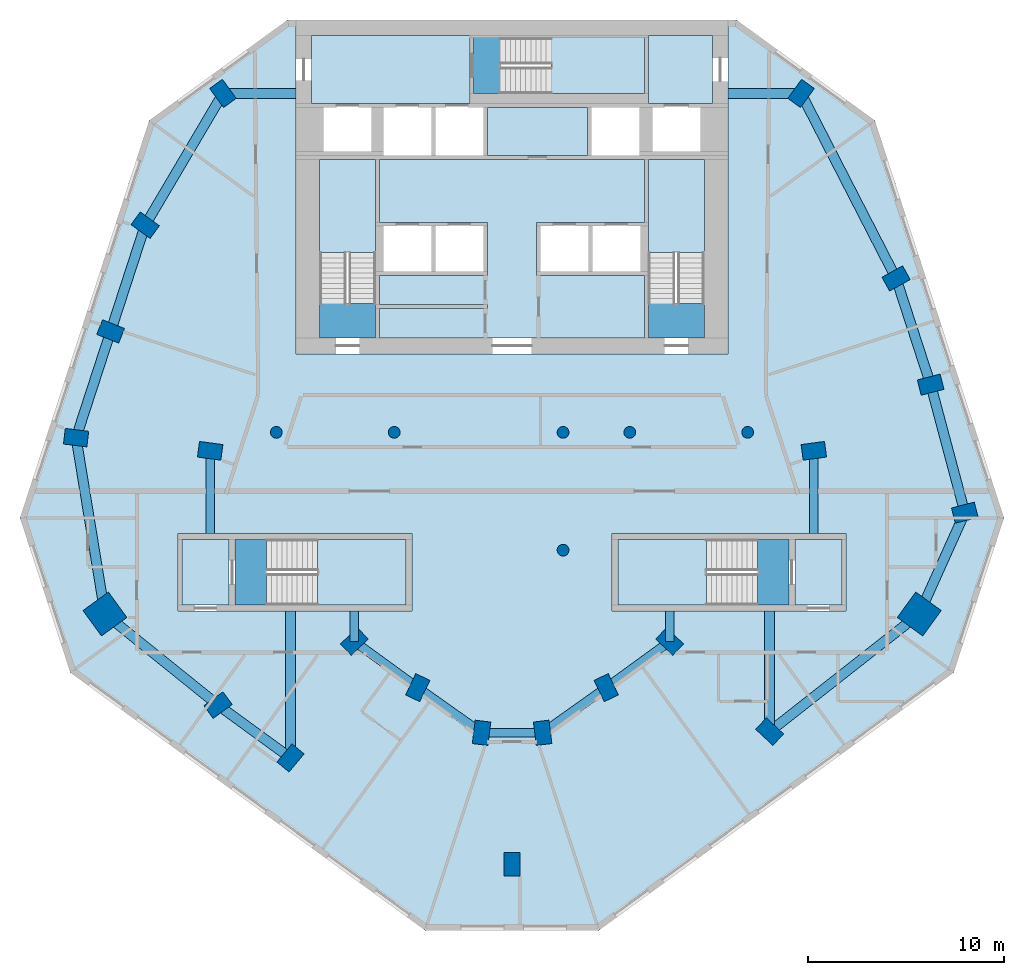
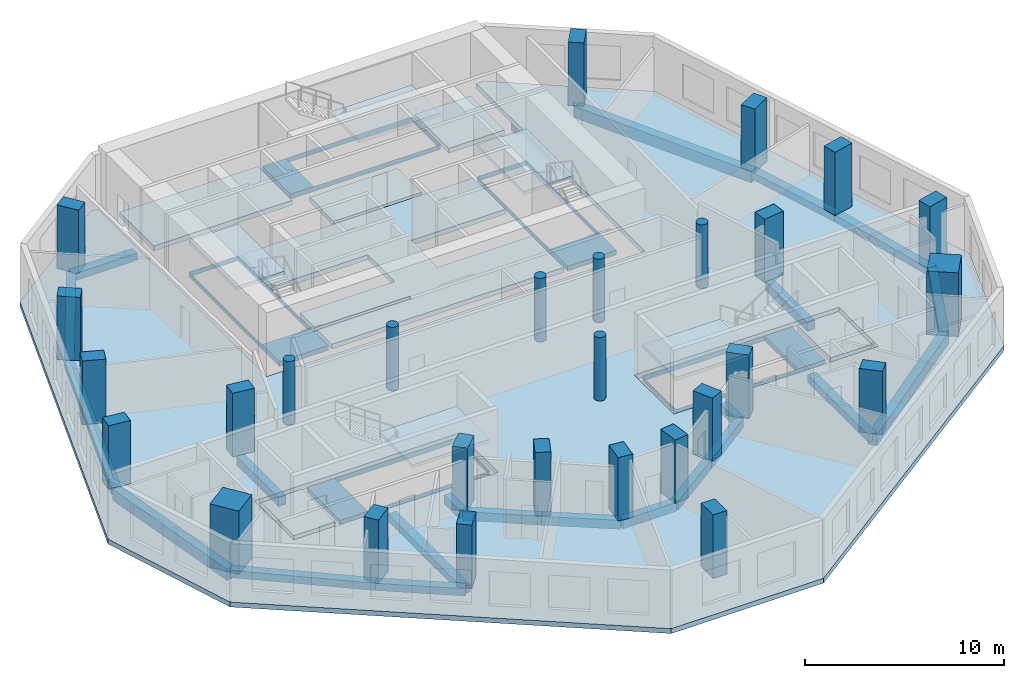
# One storey, part 1 of 9: 28 columns, 24 beams, 17 slabs, 5 elements without a shape of their own.
"""IFC4 building model written with IfcOpenShell, lengths in metres."""

from ifc_helpers import new_model, si_unit, direction, frame, origin, origin_2d, place, context, subcontext, project, spatial, polyline, rectangle, circle, outline, extrude, material, layer, layer_set, material_profile, profile_set, type_object, element, aggregate, save


model = new_model("IFC4")

# Units and contexts
model_context = context("Model", 3, precision=1e-05, world=origin(), true_north=direction((0.0, 1.0)))
body_context = subcontext(model_context, "Body", "Model", "MODEL_VIEW")
ifc_project = project(units=[si_unit("LENGTHUNIT", "METRE"), si_unit("AREAUNIT", "SQUARE_METRE"), si_unit("VOLUMEUNIT", "CUBIC_METRE"), si_unit("PLANEANGLEUNIT", "RADIAN"), si_unit("MASSUNIT", "GRAM", prefix="KILO")], contexts=[model_context])

# Site, building, storey
site_placement = place(None, origin())
site = spatial("IfcSite", under=ifc_project, at=site_placement, CompositionType="ELEMENT")
building_placement = place(site_placement, origin())
building = spatial("IfcBuilding", under=site, at=building_placement, Name="White Candle Pilgrim Tower", CompositionType="ELEMENT")
storey_placement = place(building_placement, frame((0.0, 0.0, 200.39990234375)))
storey = spatial("IfcBuildingStorey", under=building, at=storey_placement, Name="L46", CompositionType="ELEMENT", Elevation=200.39990234375)

# Columns
ifc_material_1 = material(Name="Concrete C70/85", Category="concrete")
ifc_material_profile_1 = material_profile(ifc_material_1, circle(Radius=0.300048828125, at=origin_2d()), Name="RC-COL D600")
ifc_profile_set_1 = profile_set([ifc_material_profile_1], Name="Concrete C70/85")
column_type_1 = type_object("IfcColumnType", Name="Interior column RC-COL D600 C70/85", PredefinedType="COLUMN", material=ifc_profile_set_1)
for number, where, z_axis, x_axis, name in (
    (1, (58.0, 67.0, 0.0), (0.0, 0.0, 1.0), (1.0, 0.0, 0.0), "L46 column I01"),
    (2, (64.0, 67.0, 0.0), (0.0, 0.0, 1.0), (1.0, 0.0, 0.0), "L46 column I02"),
    (3, (72.60009765625, 61.0, 0.0), (0.0, 0.0, 1.0), (1.0, 0.0, 0.0), "L46 column I03"),
    (4, (72.60009765625, 67.0, 0.0), (0.0, 0.0, 1.0), (1.0, 0.0, 0.0), "L46 column I04"),
    (5, (76.0, 67.0, 0.0), (0.0, 0.0, 1.0), (1.0, 0.0, 0.0), "L46 column I05"),
    (6, (82.0, 67.0, 0.0), (0.0, 0.0, 1.0), (1.0, 0.0, 0.0), "L46 column I06"),
):
    element("IfcColumn", number, at=place(storey_placement, frame(where, z_axis=z_axis, x_axis=x_axis)), inside=storey, type_object=column_type_1, Name=name, PredefinedType="COLUMN", context=body_context, shape_type="SweptSolid", body=[
        extrude(circle(Radius=0.300048828125, at=origin_2d()), origin(), (0.0, 0.0, 1.0), 3.900146484375),
    ])
ifc_material_profile_2 = material_profile(ifc_material_1, rectangle(XDim=1.60009765625, YDim=1.60009765625, at=origin_2d()), Name="RC 1600x1600")
ifc_profile_set_2 = profile_set([ifc_material_profile_2], Name="Concrete C70/85")
column_type_2 = type_object("IfcColumnType", Name="Mega column RC 1600x1600 C70/85", PredefinedType="COLUMN", material=ifc_profile_set_2)
for number, where, z_axis, x_axis, name in (
    (7, (49.27001953125, 57.75, 0.0), (0.0, 0.0, 1.0), (-0.809016994375, -0.587785252292, 0.0), "L46 mega column T01"),
    (8, (90.739990234375, 57.75, 0.0), (0.0, 0.0, 1.0), (0.809016994375, -0.587785252292, 0.0), "L46 mega column T06"),
):
    element("IfcColumn", number, at=place(storey_placement, frame(where, z_axis=z_axis, x_axis=x_axis)), inside=storey, type_object=column_type_2, Name=name, PredefinedType="COLUMN", context=body_context, shape_type="SweptSolid", body=[
        extrude(rectangle(XDim=1.60009765625, YDim=1.60009765625, at=origin_2d()), origin(), (0.0, 0.0, 1.0), 3.900146484375),
    ])
ifc_material_profile_3 = material_profile(ifc_material_1, rectangle(XDim=0.800048828125, YDim=1.199951171875, at=origin_2d()), Name="RC-PR 800x1200")
ifc_profile_set_3 = profile_set([ifc_material_profile_3], Name="Concrete C70/85")
column_type_3 = type_object("IfcColumnType", Name="Perimeter column RC-PR 800x1200 C70/85", PredefinedType="COLUMN", material=ifc_profile_set_3)
for number, where, z_axis, x_axis, name in (
    (9, (55.030029296875, 53.110107421875, 0.0), (0.0, 0.0, 1.0), (-0.58846280644, 0.808524288711, 0.0), "L46 column T02"),
    (10, (58.719970703125, 50.419921875, 0.0), (0.0, 0.0, 1.0), (-0.769310358735, 0.638875239733, 0.0), "L46 column T03"),
    (11, (70.0, 45.0, 0.0), (0.0, 0.0, 1.0), (-1.0, 0.0, 0.0), "L46 column T04"),
    (12, (83.1201171875, 51.760009765625, 0.0), (0.0, 0.0, 1.0), (-0.681998360062, -0.731353701619, 0.0), "L46 column T05"),
    (13, (93.06005859375, 62.909912109375, 0.0), (0.0, 0.0, 1.0), (0.246880623275, -0.969045900797, 0.0), "L46 column T07"),
    (14, (91.320068359375, 69.429931640625, 0.0), (0.0, 0.0, 1.0), (0.246880623275, -0.969045900797, 0.0), "L46 column T08"),
    (15, (89.56005859375, 74.840087890625, 0.0), (0.0, 0.0, 1.0), (0.484809620246, -0.874619707139, 0.0), "L46 column T09"),
    (16, (84.719970703125, 84.260009765625, 0.0), (0.0, 0.0, 1.0), (0.80902725304, -0.587771132193, 0.0), "L46 column T10"),
    (17, (55.280029296875, 84.260009765625, 0.0), (0.0, 0.0, 1.0), (0.80902725304, 0.587771132193, 0.0), "L46 column T11"),
    (18, (51.320068359375, 77.550048828125, 0.0), (0.0, 0.0, 1.0), (0.587107285614, 0.809509132239, 0.0), "L46 column T12"),
    (19, (49.56005859375, 72.139892578125, 0.0), (0.0, 0.0, 1.0), (0.369860269472, 0.929087391512, 0.0), "L46 column T13"),
    (20, (47.800048828125, 66.72998046875, 0.0), (0.0, 0.0, 1.0), (0.121869343405, 0.992546151641, 0.0), "L46 column T14"),
):
    element("IfcColumn", number, at=place(storey_placement, frame(where, z_axis=z_axis, x_axis=x_axis)), inside=storey, type_object=column_type_3, Name=name, PredefinedType="COLUMN", context=body_context, shape_type="SweptSolid", body=[
        extrude(rectangle(XDim=0.800048828125, YDim=1.199951171875, at=origin_2d()), origin(), (0.0, 0.0, 1.0), 3.900146484375),
    ])
ifc_material_profile_4 = material_profile(ifc_material_1, rectangle(XDim=0.800048828125, YDim=1.199951171875, at=origin_2d()), Name="RC-PR 800x1200")
ifc_profile_set_4 = profile_set([ifc_material_profile_4], Name="Concrete C70/85")
column_type_4 = type_object("IfcColumnType", Name="Ring column RC-PR 800x1200 C70/85", PredefinedType="COLUMN", material=ifc_profile_set_4)
for number, where, z_axis, x_axis, name in (
    (21, (61.969970703125, 56.35009765625, 0.0), (0.0, 0.0, 1.0), (-0.689872285383, 0.723931094691, 0.0), "L46 column R01"),
    (22, (65.199951171875, 54.0, 0.0), (0.0, 0.0, 1.0), (-0.901689191761, 0.43238478403, 0.0), "L46 column R02"),
    (23, (68.449951171875, 51.699951171875, 0.0), (0.0, 0.0, 1.0), (-0.992092811428, 0.125506388335, 0.0), "L46 column R03"),
    (24, (71.56005859375, 51.699951171875, 0.0), (0.0, 0.0, 1.0), (-0.992092811428, -0.125506388335, 0.0), "L46 column R04"),
    (25, (74.800048828125, 54.0, 0.0), (0.0, 0.0, 1.0), (-0.901689191761, -0.43238478403, 0.0), "L46 column R05"),
    (26, (78.030029296875, 56.35009765625, 0.0), (0.0, 0.0, 1.0), (-0.689872285383, -0.723931094691, 0.0), "L46 column R06"),
    (27, (85.3701171875, 66.06005859375, 0.0), (0.0, 0.0, 1.0), (0.132602381688, -0.991169313675, 0.0), "L46 column R07"),
    (28, (54.6298828125, 66.06005859375, 0.0), (0.0, 0.0, 1.0), (0.132602381688, 0.991169313675, 0.0), "L46 column R08"),
):
    element("IfcColumn", number, at=place(storey_placement, frame(where, z_axis=z_axis, x_axis=x_axis)), inside=storey, type_object=column_type_4, Name=name, PredefinedType="COLUMN", context=body_context, shape_type="SweptSolid", body=[
        extrude(rectangle(XDim=0.800048828125, YDim=1.199951171875, at=origin_2d()), origin(), (0.0, 0.0, 1.0), 3.900146484375),
    ])

# Beams
ifc_material_2 = material(Name="Concrete C50/60", Category="concrete")
ifc_material_profile_5 = material_profile(ifc_material_2, rectangle(XDim=0.449951171875, YDim=0.550048828125, at=origin_2d()), Name="RC-BM 450x550")
ifc_profile_set_5 = profile_set([ifc_material_profile_5], Name="Concrete C50/60")
beam_type_1 = type_object("IfcBeamType", Name="Ring beam RC-BM 450x550 C50/60", PredefinedType="BEAM", material=ifc_profile_set_5)
beam_1_placement = place(storey_placement, frame((61.969970703125, 56.35009765625, -0.574951171875), z_axis=(0.80861448825, -0.588338855926, 0.0), x_axis=(0.588338855926, 0.80861448825, 0.0)))
element("IfcBeam", 29, at=beam_1_placement, inside=storey, type_object=beam_type_1, Name="L46 ring beam R01", PredefinedType="BEAM", context=body_context, shape_type="SweptSolid", body=[
    extrude(rectangle(XDim=0.449951171875, YDim=0.550048828125, at=origin_2d()), origin(), (0.0, 0.0, 1.0), 3.994384765625),
])
beam_2_placement = place(storey_placement, frame((65.199951171875, 54.0, -0.574951171875), z_axis=(0.816265428953, -0.577677028708, 0.0), x_axis=(0.577677028708, 0.816265428953, 0.0)))
element("IfcBeam", 30, at=beam_2_placement, inside=storey, type_object=beam_type_1, Name="L46 ring beam R02", PredefinedType="BEAM", context=body_context, shape_type="SweptSolid", body=[
    extrude(rectangle(XDim=0.449951171875, YDim=0.550048828125, at=origin_2d()), origin(), (0.0, 0.0, 1.0), 3.9814453125),
])
beam_3_placement = place(storey_placement, frame((68.449951171875, 51.699951171875, -0.574951171875), z_axis=(1.0, 0.0, 0.0), x_axis=(0.0, 1.0, 0.0)))
element("IfcBeam", 31, at=beam_3_placement, inside=storey, type_object=beam_type_1, Name="L46 ring beam R03", PredefinedType="BEAM", context=body_context, shape_type="SweptSolid", body=[
    extrude(rectangle(XDim=0.449951171875, YDim=0.550048828125, at=origin_2d()), origin(), (0.0, 0.0, 1.0), 3.110107421875),
])
beam_4_placement = place(storey_placement, frame((71.56005859375, 51.699951171875, -0.574951171875), z_axis=(0.815423878557, 0.578864317677, 0.0), x_axis=(-0.578864317677, 0.815423878557, 0.0)))
element("IfcBeam", 32, at=beam_4_placement, inside=storey, type_object=beam_type_1, Name="L46 ring beam R04", PredefinedType="BEAM", context=body_context, shape_type="SweptSolid", body=[
    extrude(rectangle(XDim=0.449951171875, YDim=0.550048828125, at=origin_2d()), origin(), (0.0, 0.0, 1.0), 3.973388671875),
])
beam_5_placement = place(storey_placement, frame((74.800048828125, 54.0, -0.574951171875), z_axis=(0.80861448825, 0.588338855926, 0.0), x_axis=(-0.588338855926, 0.80861448825, 0.0)))
element("IfcBeam", 33, at=beam_5_placement, inside=storey, type_object=beam_type_1, Name="L46 ring beam R05", PredefinedType="BEAM", context=body_context, shape_type="SweptSolid", body=[
    extrude(rectangle(XDim=0.449951171875, YDim=0.550048828125, at=origin_2d()), origin(), (0.0, 0.0, 1.0), 3.994384765625),
])
beam_6_placement = place(storey_placement, frame((78.030029296875, 56.35009765625, -0.574951171875), z_axis=(0.0, 1.0, 0.0), x_axis=(-1.0, 0.0, 0.0)))
element("IfcBeam", 34, at=beam_6_placement, inside=storey, type_object=beam_type_1, Name="L46 ring beam R06", PredefinedType="BEAM", context=body_context, shape_type="SweptSolid", body=[
    extrude(rectangle(XDim=0.449951171875, YDim=0.550048828125, at=origin_2d()), origin(), (0.0, 0.0, 1.0), 1.5498046875),
])
for number, where, z_axis, x_axis, name in (
    (35, (85.3701171875, 66.06005859375, -0.574951171875), (0.0, -1.0, 0.0), (1.0, 0.0, 0.0), "L46 ring beam R07"),
    (36, (54.6298828125, 66.06005859375, -0.574951171875), (0.0, -1.0, 0.0), (1.0, 0.0, 0.0), "L46 ring beam R08"),
):
    element("IfcBeam", number, at=place(storey_placement, frame(where, z_axis=z_axis, x_axis=x_axis)), inside=storey, type_object=beam_type_1, Name=name, PredefinedType="BEAM", context=body_context, shape_type="SweptSolid", body=[
        extrude(rectangle(XDim=0.449951171875, YDim=0.550048828125, at=origin_2d()), origin(), (0.0, 0.0, 1.0), 4.2099609375),
    ])
beam_7_placement = place(storey_placement, frame((61.969970703125, 56.35009765625, -0.574951171875), z_axis=(0.0, 1.0, 0.0), x_axis=(-1.0, 0.0, 0.0)))
element("IfcBeam", 37, at=beam_7_placement, inside=storey, type_object=beam_type_1, Name="L46 ring beam R09", PredefinedType="BEAM", context=body_context, shape_type="SweptSolid", body=[
    extrude(rectangle(XDim=0.449951171875, YDim=0.550048828125, at=origin_2d()), origin(), (0.0, 0.0, 1.0), 1.5498046875),
])
ifc_material_profile_6 = material_profile(ifc_material_2, rectangle(XDim=0.5, YDim=0.449951171875, at=origin_2d()), Name="RC-BM 500x450")
ifc_profile_set_6 = profile_set([ifc_material_profile_6], Name="Concrete C50/60")
beam_type_2 = type_object("IfcBeamType", Name="Spandrel beam RC-BM 500x450 C50/60", PredefinedType="BEAM", material=ifc_profile_set_6)
beam_8_placement = place(storey_placement, frame((49.27001953125, 57.75, -0.52490234375), z_axis=(0.778761523917, -0.627320084858, 0.0), x_axis=(0.627320084858, 0.778761523917, 0.0)))
element("IfcBeam", 38, at=beam_8_placement, inside=storey, type_object=beam_type_2, Name="L46 spandrel beam T01", PredefinedType="BEAM", context=body_context, shape_type="SweptSolid", body=[
    extrude(rectangle(XDim=0.5, YDim=0.449951171875, at=origin_2d()), origin(), (0.0, 0.0, 1.0), 7.396484375),
])
beam_9_placement = place(storey_placement, frame((55.030029296875, 53.110107421875, -0.52490234375), z_axis=(0.808048887147, -0.589115435191, 0.0), x_axis=(0.589115435191, 0.808048887147, 0.0)))
element("IfcBeam", 39, at=beam_9_placement, inside=storey, type_object=beam_type_2, Name="L46 spandrel beam T02", PredefinedType="BEAM", context=body_context, shape_type="SweptSolid", body=[
    extrude(rectangle(XDim=0.5, YDim=0.449951171875, at=origin_2d()), origin(), (0.0, 0.0, 1.0), 4.56640625),
])
beam_10_placement = place(storey_placement, frame((58.719970703125, 50.419921875, -0.52490234375), z_axis=(0.0, 1.0, 0.0), x_axis=(-1.0, 0.0, 0.0)))
element("IfcBeam", 40, at=beam_10_placement, inside=storey, type_object=beam_type_2, Name="L46 spandrel beam T03", PredefinedType="BEAM", context=body_context, shape_type="SweptSolid", body=[
    extrude(rectangle(XDim=0.5, YDim=0.449951171875, at=origin_2d()), origin(), (0.0, 0.0, 1.0), 7.47998046875),
])
beam_11_placement = place(storey_placement, frame((83.1201171875, 51.760009765625, -0.52490234375), z_axis=(0.0, 1.0, 0.0), x_axis=(-1.0, 0.0, 0.0)))
element("IfcBeam", 41, at=beam_11_placement, inside=storey, type_object=beam_type_2, Name="L46 spandrel beam T04", PredefinedType="BEAM", context=body_context, shape_type="SweptSolid", body=[
    extrude(rectangle(XDim=0.5, YDim=0.449951171875, at=origin_2d()), origin(), (0.0, 0.0, 1.0), 6.139892578125),
])
beam_12_placement = place(storey_placement, frame((90.739990234375, 57.75, -0.52490234375), z_axis=(0.410086538768, 0.912046616528, 0.0), x_axis=(-0.912046616528, 0.410086538768, 0.0)))
element("IfcBeam", 42, at=beam_12_placement, inside=storey, type_object=beam_type_2, Name="L46 spandrel beam T06", PredefinedType="BEAM", context=body_context, shape_type="SweptSolid", body=[
    extrude(rectangle(XDim=0.5, YDim=0.449951171875, at=origin_2d()), origin(), (0.0, 0.0, 1.0), 5.657470703125),
])
beam_13_placement = place(storey_placement, frame((93.06005859375, 62.909912109375, -0.52490234375), z_axis=(-0.257845040268, 0.966186283907, 0.0), x_axis=(-0.966186283907, -0.257845040268, 0.0)))
element("IfcBeam", 43, at=beam_13_placement, inside=storey, type_object=beam_type_2, Name="L46 spandrel beam T07", PredefinedType="BEAM", context=body_context, shape_type="SweptSolid", body=[
    extrude(rectangle(XDim=0.5, YDim=0.449951171875, at=origin_2d()), origin(), (0.0, 0.0, 1.0), 6.748291015625),
])
beam_14_placement = place(storey_placement, frame((91.320068359375, 69.429931640625, -0.52490234375), z_axis=(-0.309357751297, 0.950945730162, 0.0), x_axis=(-0.950945730162, -0.309357751297, 0.0)))
element("IfcBeam", 44, at=beam_14_placement, inside=storey, type_object=beam_type_2, Name="L46 spandrel beam T08", PredefinedType="BEAM", context=body_context, shape_type="SweptSolid", body=[
    extrude(rectangle(XDim=0.5, YDim=0.449951171875, at=origin_2d()), origin(), (0.0, 0.0, 1.0), 5.689208984375),
])
for number, where, z_axis, x_axis, name in (
    (45, (84.719970703125, 84.260009765625, -0.52490234375), (-1.0, 0.0, 0.0), (0.0, -1.0, 0.0), "L46 spandrel beam T10"),
    (46, (55.280029296875, 84.260009765625, -0.52490234375), (1.0, 0.0, 0.0), (0.0, 1.0, 0.0), "L46 spandrel beam T11"),
):
    element("IfcBeam", number, at=place(storey_placement, frame(where, z_axis=z_axis, x_axis=x_axis)), inside=storey, type_object=beam_type_2, Name=name, PredefinedType="BEAM", context=body_context, shape_type="SweptSolid", body=[
        extrude(rectangle(XDim=0.5, YDim=0.449951171875, at=origin_2d()), origin(), (0.0, 0.0, 1.0), 3.719970703125),
    ])
beam_15_placement = place(storey_placement, frame((55.280029296875, 84.260009765625, -0.52490234375), z_axis=(-0.508252060579, -0.861208362081, 0.0), x_axis=(0.861208362081, -0.508252060579, 0.0)))
element("IfcBeam", 47, at=beam_15_placement, inside=storey, type_object=beam_type_2, Name="L46 spandrel beam T12", PredefinedType="BEAM", context=body_context, shape_type="SweptSolid", body=[
    extrude(rectangle(XDim=0.5, YDim=0.449951171875, at=origin_2d()), origin(), (0.0, 0.0, 1.0), 7.791259765625),
])
beam_16_placement = place(storey_placement, frame((51.320068359375, 77.550048828125, -0.52490234375), z_axis=(-0.309357751297, -0.950945730162, 0.0), x_axis=(0.950945730162, -0.309357751297, 0.0)))
element("IfcBeam", 48, at=beam_16_placement, inside=storey, type_object=beam_type_2, Name="L46 spandrel beam T13", PredefinedType="BEAM", context=body_context, shape_type="SweptSolid", body=[
    extrude(rectangle(XDim=0.5, YDim=0.449951171875, at=origin_2d()), origin(), (0.0, 0.0, 1.0), 5.689208984375),
])
beam_17_placement = place(storey_placement, frame((49.56005859375, 72.139892578125, -0.52490234375), z_axis=(-0.309370375951, -0.950941623068, 0.0), x_axis=(0.950941623068, -0.309370375951, 0.0)))
element("IfcBeam", 49, at=beam_17_placement, inside=storey, type_object=beam_type_2, Name="L46 spandrel beam T14", PredefinedType="BEAM", context=body_context, shape_type="SweptSolid", body=[
    extrude(rectangle(XDim=0.5, YDim=0.449951171875, at=origin_2d()), origin(), (0.0, 0.0, 1.0), 5.68896484375),
])
ifc_material_profile_7 = material_profile(ifc_material_2, rectangle(XDim=0.5, YDim=0.699951171875, at=origin_2d()), Name="RC-BM 500x700")
ifc_profile_set_7 = profile_set([ifc_material_profile_7], Name="Concrete C50/60")
beam_type_3 = type_object("IfcBeamType", Name="Spandrel beam RC-BM 500x700 C50/60", PredefinedType="BEAM", material=ifc_profile_set_7)
beam_18_placement = place(storey_placement, frame((83.1201171875, 51.760009765625, -0.64990234375), z_axis=(0.786170599768, 0.618009537192, 0.0), x_axis=(-0.618009537192, 0.786170599768, 0.0)))
element("IfcBeam", 50, at=beam_18_placement, inside=storey, type_object=beam_type_3, Name="L46 spandrel beam T05", PredefinedType="BEAM", context=body_context, shape_type="SweptSolid", body=[
    extrude(rectangle(XDim=0.5, YDim=0.699951171875, at=origin_2d()), origin(), (0.0, 0.0, 1.0), 9.6923828125),
])
beam_19_placement = place(storey_placement, frame((89.56005859375, 74.840087890625, -0.64990234375), z_axis=(-0.45701618227, 0.889458379658, 0.0), x_axis=(-0.889458379658, -0.45701618227, 0.0)))
element("IfcBeam", 51, at=beam_19_placement, inside=storey, type_object=beam_type_3, Name="L46 spandrel beam T09", PredefinedType="BEAM", context=body_context, shape_type="SweptSolid", body=[
    extrude(rectangle(XDim=0.5, YDim=0.699951171875, at=origin_2d()), origin(), (0.0, 0.0, 1.0), 10.590576171875),
])
beam_20_placement = place(storey_placement, frame((47.800048828125, 66.72998046875, -0.64990234375), z_axis=(0.161544154404, -0.986865485351, 0.0), x_axis=(0.986865485351, 0.161544154404, 0.0)))
element("IfcBeam", 52, at=beam_20_placement, inside=storey, type_object=beam_type_3, Name="L46 spandrel beam T15", PredefinedType="BEAM", context=body_context, shape_type="SweptSolid", body=[
    extrude(rectangle(XDim=0.5, YDim=0.699951171875, at=origin_2d()), origin(), (0.0, 0.0, 1.0), 9.099609375),
])

# Slabs
ifc_material_3 = material(Name="Concrete C40/50", Category="concrete")
ifc_layer_1 = layer(ifc_material_3, 0.300048828125)
ifc_layer_set_1 = layer_set([ifc_layer_1], Name="Core floor slab 300 mm Concrete C40/50")
slab_type_1 = type_object("IfcSlabType", Name="Core floor slab 300 mm Concrete C40/50", PredefinedType="FLOOR", material=ifc_layer_set_1)
slab_1_placement = place(storey_placement, frame((0.0, 0.0, -0.2998046875)))
element("IfcSlab", 53, at=slab_1_placement, inside=storey, type_object=slab_type_1, Name="CF-L46-01", PredefinedType="FLOOR", context=body_context, shape_type="SweptSolid", body=[
    extrude(outline(polyline([(55.60009765625, 58.199951171875), (53.199951171875, 58.199951171875), (53.199951171875, 61.550048828125), (55.60009765625, 61.550048828125), (55.60009765625, 58.199951171875)])), origin(), (0.0, 0.0, 1.0), 0.2998046875),
])
slab_2_placement = place(storey_placement, frame((0.0, 0.0, -0.2998046875)))
element("IfcSlab", 54, at=slab_2_placement, inside=storey, type_object=slab_type_1, Name="CF-L46-02", PredefinedType="FLOOR", context=body_context, shape_type="SweptSolid", body=[
    extrude(outline(polyline([(55.89990234375, 58.199951171875), (55.89990234375, 61.550048828125), (64.60009765625, 61.550048828125), (64.60009765625, 58.199951171875), (55.89990234375, 58.199951171875)]), holes=[polyline([(57.501953125, 61.548095703125), (57.501953125, 58.201904296875), (64.597900390625, 58.201904296875), (64.597900390625, 61.548095703125), (57.501953125, 61.548095703125)])]), origin(), (0.0, 0.0, 1.0), 0.2998046875),
])
slab_3_placement = place(storey_placement, frame((0.0, 0.0, -0.2998046875)))
element("IfcSlab", 55, at=slab_3_placement, inside=storey, type_object=slab_type_1, Name="CF-L46-03", PredefinedType="FLOOR", context=body_context, shape_type="SweptSolid", body=[
    extrude(outline(polyline([(75.39990234375, 58.199951171875), (75.39990234375, 61.550048828125), (84.10009765625, 61.550048828125), (84.10009765625, 58.199951171875), (75.39990234375, 58.199951171875)]), holes=[polyline([(82.498046875, 58.201904296875), (82.498046875, 61.548095703125), (75.402099609375, 61.548095703125), (75.402099609375, 58.201904296875), (82.498046875, 58.201904296875)])]), origin(), (0.0, 0.0, 1.0), 0.2998046875),
])
slab_4_placement = place(storey_placement, frame((0.0, 0.0, -0.2998046875)))
element("IfcSlab", 56, at=slab_4_placement, inside=storey, type_object=slab_type_1, Name="CF-L46-04", PredefinedType="FLOOR", context=body_context, shape_type="SweptSolid", body=[
    extrude(outline(polyline([(86.800048828125, 58.199951171875), (84.39990234375, 58.199951171875), (84.39990234375, 61.550048828125), (86.800048828125, 61.550048828125), (86.800048828125, 58.199951171875)])), origin(), (0.0, 0.0, 1.0), 0.2998046875),
])
slab_5_placement = place(storey_placement, frame((0.0, 0.0, -0.2998046875)))
element("IfcSlab", 57, at=slab_5_placement, inside=storey, type_object=slab_type_1, Name="CF-L46-05", PredefinedType="FLOOR", context=body_context, shape_type="SweptSolid", body=[
    extrude(outline(polyline([(76.949951171875, 71.800048828125), (76.949951171875, 75.0), (76.949951171875, 75.199951171875), (76.949951171875, 77.5), (76.949951171875, 77.699951171875), (76.949951171875, 80.89990234375), (79.800048828125, 80.89990234375), (79.800048828125, 71.800048828125), (76.949951171875, 71.800048828125)]), holes=[polyline([(76.951904296875, 73.552001953125), (79.798095703125, 73.552001953125), (79.798095703125, 80.89794921875), (76.951904296875, 80.89794921875), (76.951904296875, 73.552001953125)])]), origin(), (0.0, 0.0, 1.0), 0.2998046875),
])
slab_6_placement = place(storey_placement, frame((0.0, 0.0, -0.2998046875)))
element("IfcSlab", 58, at=slab_6_placement, inside=storey, type_object=slab_type_1, Name="CF-L46-06", PredefinedType="FLOOR", context=body_context, shape_type="SweptSolid", body=[
    extrude(outline(polyline([(63.25, 71.800048828125), (63.25, 73.300048828125), (68.75, 73.300048828125), (68.75, 73.5), (63.25, 73.5), (63.25, 75.0), (68.75, 75.0), (68.75, 75.199951171875), (68.75, 77.5), (68.75, 77.699951171875), (63.25, 77.699951171875), (63.25, 80.89990234375), (76.75, 80.89990234375), (76.75, 77.699951171875), (71.25, 77.699951171875), (71.25, 77.5), (71.25, 75.199951171875), (71.25, 75.0), (76.75, 75.0), (76.75, 71.800048828125), (63.25, 71.800048828125)])), origin(), (0.0, 0.0, 1.0), 0.2998046875),
])
slab_7_placement = place(storey_placement, frame((0.0, 0.0, -0.2998046875)))
element("IfcSlab", 59, at=slab_7_placement, inside=storey, type_object=slab_type_1, Name="CF-L46-07", PredefinedType="FLOOR", context=body_context, shape_type="SweptSolid", body=[
    extrude(outline(polyline([(60.199951171875, 71.800048828125), (60.199951171875, 80.89990234375), (63.050048828125, 80.89990234375), (63.050048828125, 77.699951171875), (63.050048828125, 77.5), (63.050048828125, 75.199951171875), (63.050048828125, 75.0), (63.050048828125, 73.5), (63.050048828125, 73.300048828125), (63.050048828125, 71.800048828125), (60.199951171875, 71.800048828125)]), holes=[polyline([(60.201904296875, 73.552001953125), (63.048095703125, 73.552001953125), (63.048095703125, 80.89794921875), (60.201904296875, 80.89794921875), (60.201904296875, 73.552001953125)])]), origin(), (0.0, 0.0, 1.0), 0.2998046875),
])
slab_8_placement = place(storey_placement, frame((0.0, 0.0, -0.2998046875)))
element("IfcSlab", 60, at=slab_8_placement, inside=storey, type_object=slab_type_1, Name="CF-L46-08", PredefinedType="FLOOR", context=body_context, shape_type="SweptSolid", body=[
    extrude(outline(polyline([(59.800048828125, 87.199951171875), (67.85009765625, 87.199951171875), (67.85009765625, 87.10009765625), (67.85009765625, 84.25), (67.85009765625, 83.75), (59.800048828125, 83.75), (59.800048828125, 87.199951171875)])), origin(), (0.0, 0.0, 1.0), 0.2998046875),
])
slab_9_placement = place(storey_placement, frame((0.0, 0.0, -0.2998046875)))
element("IfcSlab", 61, at=slab_9_placement, inside=storey, type_object=slab_type_1, Name="CF-L46-09", PredefinedType="FLOOR", context=body_context, shape_type="SweptSolid", body=[
    extrude(outline(polyline([(80.199951171875, 87.199951171875), (80.199951171875, 83.75), (76.949951171875, 83.75), (76.949951171875, 84.25), (76.949951171875, 87.10009765625), (76.949951171875, 87.199951171875), (80.199951171875, 87.199951171875)])), origin(), (0.0, 0.0, 1.0), 0.2998046875),
])
slab_10_placement = place(storey_placement, frame((0.0, 0.0, -0.2998046875)))
element("IfcSlab", 62, at=slab_10_placement, inside=storey, type_object=slab_type_1, Name="CF-L46-10", PredefinedType="FLOOR", context=body_context, shape_type="SweptSolid", body=[
    extrude(outline(polyline([(68.050048828125, 87.10009765625), (76.75, 87.10009765625), (76.75, 84.25), (68.050048828125, 84.25), (68.050048828125, 87.10009765625)]), holes=[polyline([(69.402099609375, 87.097900390625), (69.402099609375, 84.251953125), (76.748046875, 84.251953125), (76.748046875, 87.097900390625), (69.402099609375, 87.097900390625)])]), origin(), (0.0, 0.0, 1.0), 0.2998046875),
])
slab_11_placement = place(storey_placement, frame((0.0, 0.0, -0.2998046875)))
element("IfcSlab", 63, at=slab_11_placement, inside=storey, type_object=slab_type_1, Name="CF-L46-11", PredefinedType="FLOOR", context=body_context, shape_type="SweptSolid", body=[
    extrude(outline(polyline([(73.85009765625, 83.550048828125), (73.85009765625, 81.10009765625), (68.75, 81.10009765625), (68.75, 83.550048828125), (73.85009765625, 83.550048828125)])), origin(), (0.0, 0.0, 1.0), 0.2998046875),
])
ifc_layer_2 = layer(ifc_material_3, 0.300048828125)
ifc_layer_set_2 = layer_set([ifc_layer_2], Name="Floor slab 300 REI 240")
slab_type_2 = type_object("IfcSlabType", Name="Floor slab 300 REI 240", PredefinedType="FLOOR", material=ifc_layer_set_2)
slab_12_placement = place(storey_placement, frame((0.0, 0.0, -0.2998046875)))
element("IfcSlab", 64, at=slab_12_placement, inside=storey, type_object=slab_type_2, Name="L46 floor slab", PredefinedType="FLOOR", context=body_context, shape_type="SweptSolid", body=[
    extrude(outline(polyline([(65.5703125, 41.64111328125), (74.4296875, 41.64111328125), (92.4970703125, 54.767822265625), (95.055419921875, 62.6416015625), (88.478271484375, 82.88427734375), (81.43701171875, 88.0), (81.0, 88.0), (81.0, 71.0), (59.0, 71.0), (59.0, 88.0), (58.56298828125, 88.0), (51.521728515625, 82.88427734375), (44.944580078125, 62.6416015625), (47.5029296875, 54.767822265625), (65.5703125, 41.64111328125)]), holes=[polyline([(53.0, 57.89990234375), (53.0, 61.85009765625), (64.89990234375, 61.85009765625), (64.89990234375, 57.89990234375), (53.0, 57.89990234375)]), polyline([(75.10009765625, 57.89990234375), (75.10009765625, 61.85009765625), (87.0, 61.85009765625), (87.0, 57.89990234375), (75.10009765625, 57.89990234375)])]), origin(), (0.0, 0.0, 1.0), 0.2998046875),
])

# Stair, slab
stair_type_1 = type_object("IfcStairType", Name="Exit stair 1 flight width 1350 mm", PredefinedType="HALF_TURN_STAIR", material=ifc_material_3)
stair_1_placement = place(storey_placement, origin())
stair_1 = element("IfcStair", 65, at=stair_1_placement, inside=storey, type_object=stair_type_1, Name="L46 stair 1", PredefinedType="NOTDEFINED")
ifc_layer_3 = layer(ifc_material_3, 0.199951171875)
ifc_layer_set_3 = layer_set([ifc_layer_3], Name="Stair landing Concrete C40/50")
slab_type_3 = type_object("IfcSlabType", Name="Stair landing Concrete C40/50", PredefinedType="LANDING", material=ifc_layer_set_3)
slab_13_placement = place(storey_placement, frame((0.0, 0.0, 1.75)))
slab_13 = element("IfcSlab", 66, at=slab_13_placement, type_object=slab_type_3, Name="ST1 landing 1", PredefinedType="LANDING", context=body_context, shape_type="SweptSolid", body=[
    extrude(outline(polyline([(63.052001953125, 76.14794921875), (60.197998046875, 76.14794921875), (60.197998046875, 80.902099609375), (63.052001953125, 80.902099609375), (63.052001953125, 76.14794921875)])), origin(), (0.0, 0.0, 1.0), 0.2001953125),
])
aggregate(stair_1, [slab_13])

stair_type_2 = type_object("IfcStairType", Name="Exit stair 2 flight width 1350 mm", PredefinedType="HALF_TURN_STAIR", material=ifc_material_3)
stair_2_placement = place(storey_placement, origin())
stair_2 = element("IfcStair", 67, at=stair_2_placement, inside=storey, type_object=stair_type_2, Name="L46 stair 2", PredefinedType="NOTDEFINED")
slab_14_placement = place(storey_placement, frame((0.0, 0.0, 1.75)))
slab_14 = element("IfcSlab", 68, at=slab_14_placement, type_object=slab_type_3, Name="ST2 landing 1", PredefinedType="LANDING", context=body_context, shape_type="SweptSolid", body=[
    extrude(outline(polyline([(79.802001953125, 76.14794921875), (76.947998046875, 76.14794921875), (76.947998046875, 80.902099609375), (79.802001953125, 80.902099609375), (79.802001953125, 76.14794921875)])), origin(), (0.0, 0.0, 1.0), 0.2001953125),
])
aggregate(stair_2, [slab_14])

stair_type_3 = type_object("IfcStairType", Name="Exit stair 3 flight width 1350 mm", PredefinedType="HALF_TURN_STAIR", material=ifc_material_3)
stair_3_placement = place(storey_placement, origin())
stair_3 = element("IfcStair", 69, at=stair_3_placement, inside=storey, type_object=stair_type_3, Name="L46 stair 3", PredefinedType="NOTDEFINED")
slab_15_placement = place(storey_placement, frame((0.0, 0.0, 1.75)))
slab_15 = element("IfcSlab", 70, at=slab_15_placement, type_object=slab_type_3, Name="ST3 landing 1", PredefinedType="LANDING", context=body_context, shape_type="SweptSolid", body=[
    extrude(outline(polyline([(71.998046875, 84.248046875), (71.998046875, 87.10205078125), (76.751953125, 87.10205078125), (76.751953125, 84.248046875), (71.998046875, 84.248046875)])), origin(), (0.0, 0.0, 1.0), 0.2001953125),
])
aggregate(stair_3, [slab_15])

stair_type_4 = type_object("IfcStairType", Name="Exit stair 4 flight width 1600 mm", PredefinedType="HALF_TURN_STAIR", material=ifc_material_3)
stair_4_placement = place(storey_placement, origin())
stair_4 = element("IfcStair", 71, at=stair_4_placement, inside=storey, type_object=stair_type_4, Name="L46 stair 4", PredefinedType="NOTDEFINED")
slab_16_placement = place(storey_placement, frame((0.0, 0.0, 1.75)))
slab_16 = element("IfcSlab", 72, at=slab_16_placement, type_object=slab_type_3, Name="ST4 landing 1", PredefinedType="LANDING", context=body_context, shape_type="SweptSolid", body=[
    extrude(outline(polyline([(79.902099609375, 61.552001953125), (79.902099609375, 58.197998046875), (75.39794921875, 58.197998046875), (75.39794921875, 61.552001953125), (79.902099609375, 61.552001953125)])), origin(), (0.0, 0.0, 1.0), 0.2001953125),
])
aggregate(stair_4, [slab_16])

stair_type_5 = type_object("IfcStairType", Name="Exit stair 5 flight width 1600 mm", PredefinedType="HALF_TURN_STAIR", material=ifc_material_3)
stair_5_placement = place(storey_placement, origin())
stair_5 = element("IfcStair", 73, at=stair_5_placement, inside=storey, type_object=stair_type_5, Name="L46 stair 5", PredefinedType="NOTDEFINED")
slab_17_placement = place(storey_placement, frame((0.0, 0.0, 1.75)))
slab_17 = element("IfcSlab", 74, at=slab_17_placement, type_object=slab_type_3, Name="ST5 landing 1", PredefinedType="LANDING", context=body_context, shape_type="SweptSolid", body=[
    extrude(outline(polyline([(60.097900390625, 58.197998046875), (60.097900390625, 61.552001953125), (64.60205078125, 61.552001953125), (64.60205078125, 58.197998046875), (60.097900390625, 58.197998046875)])), origin(), (0.0, 0.0, 1.0), 0.2001953125),
])
aggregate(stair_5, [slab_17])

save(model, "model.ifc")
